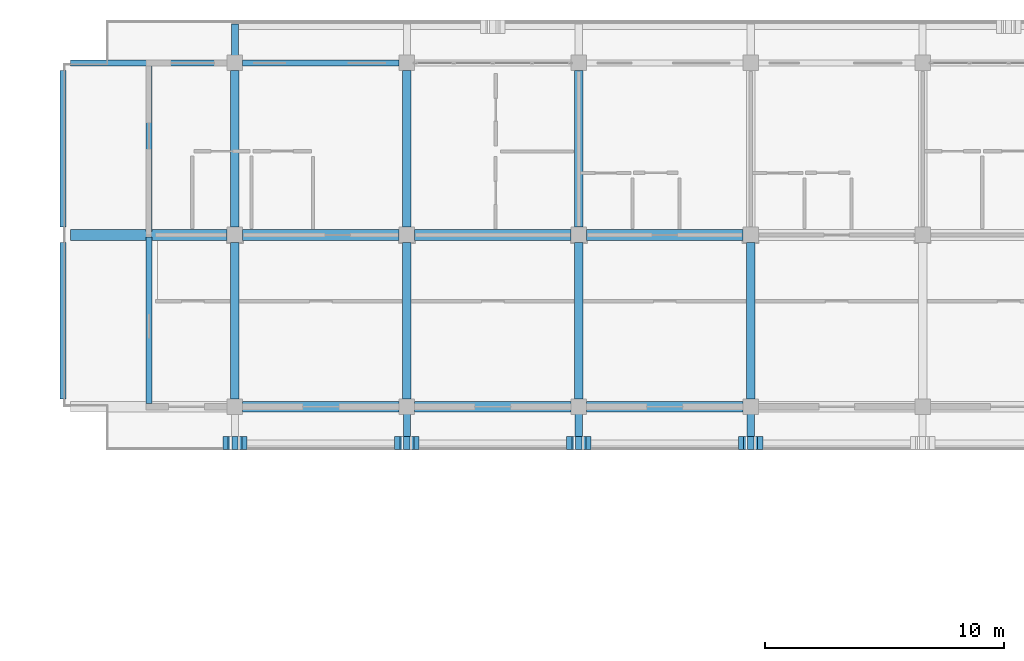
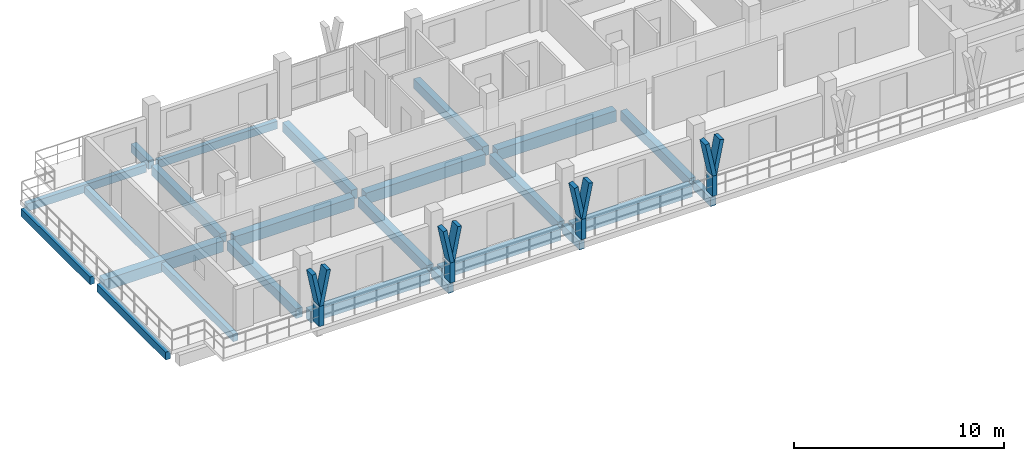
# One storey, part 9 of 75: 24 beams, 12 members.
"""IFC4 building model written with IfcOpenShell, lengths in metres."""

from ifc_helpers import new_model, si_unit, direction, frame, origin, origin_2d, place, context, subcontext, project, spatial, rectangle, extrude, material, material_profile, profile_set, type_object, element, save


model = new_model("IFC4")

# Units and contexts
model_context = context("Model", 3, precision=1e-05, world=origin(), true_north=direction((0.0, 1.0)))
body_context = subcontext(model_context, "Body", "Model", "MODEL_VIEW")
ifc_project = project(units=[si_unit("LENGTHUNIT", "METRE"), si_unit("AREAUNIT", "SQUARE_METRE"), si_unit("VOLUMEUNIT", "CUBIC_METRE"), si_unit("PLANEANGLEUNIT", "RADIAN"), si_unit("MASSUNIT", "GRAM", prefix="KILO")], contexts=[model_context])

# Site, building, storey
site_placement = place(None, origin())
site = spatial("IfcSite", under=ifc_project, at=site_placement, CompositionType="ELEMENT")
building_placement = place(site_placement, origin())
building = spatial("IfcBuilding", under=site, at=building_placement, Name="Suanplinth Sawtooth Commons", CompositionType="ELEMENT")
storey_placement = place(building_placement, frame((0.0, 0.0, 18.60009765625)))
storey = spatial("IfcBuildingStorey", under=building, at=storey_placement, Name="L05", CompositionType="ELEMENT", Elevation=18.60009765625)

# Beams
ifc_material_1 = material(Name="Precast concrete C40/50", Category="concrete")
ifc_material_profile_1 = material_profile(ifc_material_1, rectangle(XDim=0.449951171875, YDim=0.64990234375, at=origin_2d()), Name="PC-GDR 450x650")
ifc_profile_set_1 = profile_set([ifc_material_profile_1], Name="Precast concrete C40/50")
beam_type_1 = type_object("IfcBeamType", Name="B-04", PredefinedType="USERDEFINED", material=ifc_profile_set_1)
for number, where, z_axis, x_axis, name in (
    (1, (0.324951171875, 115.199951171875, -0.5751953125), (1.0, 0.0, 0.0), (0.0, 1.0, 0.0), "BMX-L05-A-0-16"),
    (2, (7.52490234375, 108.0, -0.5751953125), (1.0, 0.0, 0.0), (0.0, 1.0, 0.0), "BMX-L05-A-1-15"),
    (3, (7.52490234375, 115.199951171875, -0.5751953125), (1.0, 0.0, 0.0), (0.0, 1.0, 0.0), "BMX-L05-A-1-16"),
):
    element("IfcBeam", number, at=place(storey_placement, frame(where, z_axis=z_axis, x_axis=x_axis)), inside=storey, type_object=beam_type_1, Name=name, ObjectType="GIRDER", PredefinedType="USERDEFINED", context=body_context, shape_type="SweptSolid", body=[
        extrude(rectangle(XDim=0.449951171875, YDim=0.64990234375, at=origin_2d()), origin(), (0.0, 0.0, 1.0), 6.550048828125),
    ])
for number, where, z_axis, x_axis, name in (
    (4, (14.72509765625, 108.0, -0.5751953125), (1.0, 0.0, 0.0), (0.0, 1.0, 0.0), "BMX-L05-A-2-15"),
    (5, (14.72509765625, 115.199951171875, -0.5751953125), (1.0, 0.0, 0.0), (0.0, 1.0, 0.0), "BMX-L05-A-2-16"),
):
    element("IfcBeam", number, at=place(storey_placement, frame(where, z_axis=z_axis, x_axis=x_axis)), inside=storey, type_object=beam_type_1, Name=name, ObjectType="GIRDER", PredefinedType="USERDEFINED", context=body_context, shape_type="SweptSolid", body=[
        extrude(rectangle(XDim=0.449951171875, YDim=0.64990234375, at=origin_2d()), origin(), (0.0, 0.0, 1.0), 6.5498046875),
    ])
for number, where, z_axis, x_axis, name in (
    (6, (21.925048828125, 108.0, -0.5751953125), (1.0, 0.0, 0.0), (0.0, 1.0, 0.0), "BMX-L05-A-3-15"),
    (7, (21.925048828125, 115.199951171875, -0.5751953125), (1.0, 0.0, 0.0), (0.0, 1.0, 0.0), "BMX-L05-A-3-16"),
):
    element("IfcBeam", number, at=place(storey_placement, frame(where, z_axis=z_axis, x_axis=x_axis)), inside=storey, type_object=beam_type_1, Name=name, ObjectType="GIRDER", PredefinedType="USERDEFINED", context=body_context, shape_type="SweptSolid", body=[
        extrude(rectangle(XDim=0.449951171875, YDim=0.64990234375, at=origin_2d()), origin(), (0.0, 0.0, 1.0), 6.550048828125),
    ])
ifc_material_profile_2 = material_profile(ifc_material_1, rectangle(XDim=0.35009765625, YDim=0.550048828125, at=origin_2d()), Name="PC-BM 350x550")
ifc_profile_set_2 = profile_set([ifc_material_profile_2], Name="Precast concrete C40/50")
beam_type_2 = type_object("IfcBeamType", Name="B-06", PredefinedType="BEAM", material=ifc_profile_set_2)
for number, where, z_axis, x_axis, name in (
    (8, (7.199951171875, 108.324951171875, -0.525146484375), (0.0, 1.0, 0.0), (-1.0, 0.0, 0.0), "BMY-L05-A-1-15"),
    (9, (7.199951171875, 115.52490234375, -0.525146484375), (0.0, 1.0, 0.0), (-1.0, 0.0, 0.0), "BMY-L05-A-1-16"),
    (10, (14.39990234375, 108.324951171875, -0.525146484375), (0.0, 1.0, 0.0), (-1.0, 0.0, 0.0), "BMY-L05-A-2-15"),
    (11, (14.39990234375, 115.52490234375, -0.525146484375), (0.0, 1.0, 0.0), (-1.0, 0.0, 0.0), "BMY-L05-A-2-16"),
    (12, (21.60009765625, 108.324951171875, -0.525146484375), (0.0, 1.0, 0.0), (-1.0, 0.0, 0.0), "BMY-L05-A-3-15"),
    (13, (21.60009765625, 115.52490234375, -0.525146484375), (0.0, 1.0, 0.0), (-1.0, 0.0, 0.0), "BMY-L05-A-3-16"),
    (14, (28.800048828125, 108.324951171875, -0.525146484375), (0.0, 1.0, 0.0), (-1.0, 0.0, 0.0), "BMY-L05-A-4-15"),
):
    element("IfcBeam", number, at=place(storey_placement, frame(where, z_axis=z_axis, x_axis=x_axis)), inside=storey, type_object=beam_type_2, Name=name, PredefinedType="BEAM", context=body_context, shape_type="SweptSolid", body=[
        extrude(rectangle(XDim=0.35009765625, YDim=0.550048828125, at=origin_2d()), origin(), (0.0, 0.0, 1.0), 6.550048828125),
    ])
ifc_material_profile_3 = material_profile(ifc_material_1, rectangle(XDim=0.300048828125, YDim=0.5, at=origin_2d()), Name="PC-BM 300x500")
ifc_profile_set_3 = profile_set([ifc_material_profile_3], Name="Precast concrete C40/50")
beam_type_3 = type_object("IfcBeamType", Name="B-07", PredefinedType="BEAM", material=ifc_profile_set_3)
beam_1_placement = place(storey_placement, frame((7.199951171875, 122.39990234375, -0.43017578125), z_axis=(0.0, 1.0, 0.0), x_axis=(-1.0, 0.0, 0.0)))
element("IfcBeam", 15, at=beam_1_placement, inside=storey, type_object=beam_type_3, Name="Balcony Outrigger L05-A-N-1", PredefinedType="BEAM", context=body_context, shape_type="SweptSolid", body=[
    extrude(rectangle(XDim=0.300048828125, YDim=0.5, at=origin_2d()), origin(), (0.0, 0.0, 1.0), 1.64013671875),
])
for number, where, z_axis, x_axis, name in (
    (16, (14.39990234375, 108.0, -0.43017578125), (0.0, -1.0, 0.0), (1.0, 0.0, 0.0), "Balcony Outrigger L05-A-S-2"),
    (17, (21.60009765625, 108.0, -0.43017578125), (0.0, -1.0, 0.0), (1.0, 0.0, 0.0), "Balcony Outrigger L05-A-S-3"),
    (18, (28.800048828125, 108.0, -0.43017578125), (0.0, -1.0, 0.0), (1.0, 0.0, 0.0), "Balcony Outrigger L05-A-S-4"),
):
    element("IfcBeam", number, at=place(storey_placement, frame(where, z_axis=z_axis, x_axis=x_axis)), inside=storey, type_object=beam_type_3, Name=name, PredefinedType="BEAM", context=body_context, shape_type="SweptSolid", body=[
        extrude(rectangle(XDim=0.300048828125, YDim=0.5, at=origin_2d()), origin(), (0.0, 0.0, 1.0), 1.639892578125),
    ])
ifc_material_profile_4 = material_profile(ifc_material_1, rectangle(XDim=0.25, YDim=0.449951171875, at=origin_2d()), Name="PC-SP 250x450")
ifc_profile_set_4 = profile_set([ifc_material_profile_4], Name="Precast concrete C40/50")
beam_type_4 = type_object("IfcBeamType", Name="B-09", PredefinedType="SPANDREL", material=ifc_profile_set_4)
for number, where, z_axis, x_axis, name in (
    (19, (0.324951171875, 122.39990234375, -0.47509765625), (1.0, 0.0, 0.0), (0.0, 1.0, 0.0), "BMX-L05-A-0-17"),
    (20, (7.52490234375, 122.39990234375, -0.47509765625), (1.0, 0.0, 0.0), (0.0, 1.0, 0.0), "BMX-L05-A-1-17"),
    (21, (0.0, 108.324951171875, -0.47509765625), (0.0, 1.0, 0.0), (-1.0, 0.0, 0.0), "BMY-L05-A-0-15"),
    (22, (0.0, 115.52490234375, -0.47509765625), (0.0, 1.0, 0.0), (-1.0, 0.0, 0.0), "BMY-L05-A-0-16"),
):
    element("IfcBeam", number, at=place(storey_placement, frame(where, z_axis=z_axis, x_axis=x_axis)), inside=storey, type_object=beam_type_4, Name=name, PredefinedType="SPANDREL", context=body_context, shape_type="SweptSolid", body=[
        extrude(rectangle(XDim=0.25, YDim=0.449951171875, at=origin_2d()), origin(), (0.0, 0.0, 1.0), 6.550048828125),
    ])
beam_2_placement = place(storey_placement, frame((3.60009765625, 108.139892578125, -0.5751953125), z_axis=(0.0, 1.0, 0.0), x_axis=(-1.0, 0.0, 0.0)))
element("IfcBeam", 23, at=beam_2_placement, inside=storey, type_object=beam_type_4, Name="BMY-L05-A-STEP-36-15", PredefinedType="SPANDREL", context=body_context, shape_type="SweptSolid", body=[
    extrude(rectangle(XDim=0.25, YDim=0.449951171875, at=origin_2d()), origin(), (0.0, 0.0, 1.0), 6.980224609375),
])
beam_3_placement = place(storey_placement, frame((3.60009765625, 115.340087890625, -0.5751953125), z_axis=(0.0, 1.0, 0.0), x_axis=(-1.0, 0.0, 0.0)))
element("IfcBeam", 24, at=beam_3_placement, inside=storey, type_object=beam_type_4, Name="BMY-L05-A-STEP-36-16", PredefinedType="SPANDREL", context=body_context, shape_type="SweptSolid", body=[
    extrude(rectangle(XDim=0.25, YDim=0.449951171875, at=origin_2d()), origin(), (0.0, 0.0, 1.0), 6.97998046875),
])

# Members
ifc_material_2 = material(Name="Pigmented precast concrete C40/50", Category="concrete")
ifc_material_profile_5 = material_profile(ifc_material_2, rectangle(XDim=0.260009765625, YDim=0.550048828125, at=origin_2d()), Name="PC-FIN 260x550")
ifc_profile_set_5 = profile_set([ifc_material_profile_5], Name="Pigmented precast concrete C40/50")
member_type_1 = type_object("IfcMemberType", Name="M-09", PredefinedType="USERDEFINED", material=ifc_profile_set_5)
for number, where, z_axis, x_axis, name in (
    (25, (7.199951171875, 106.47998046875, 0.0), (0.0, 0.0, 1.0), (1.0, 0.0, 0.0), "Y-Blade Stem L05-A-S-06"),
    (26, (14.39990234375, 106.47998046875, 0.0), (0.0, 0.0, 1.0), (1.0, 0.0, 0.0), "Y-Blade Stem L05-A-S-07"),
    (27, (21.60009765625, 106.47998046875, 0.0), (0.0, 0.0, 1.0), (1.0, 0.0, 0.0), "Y-Blade Stem L05-A-S-08"),
    (28, (28.800048828125, 106.47998046875, 0.0), (0.0, 0.0, 1.0), (1.0, 0.0, 0.0), "Y-Blade Stem L05-A-S-09"),
):
    element("IfcMember", number, at=place(storey_placement, frame(where, z_axis=z_axis, x_axis=x_axis)), inside=storey, type_object=member_type_1, Name=name, ObjectType="SHADING FIN", PredefinedType="USERDEFINED", context=body_context, shape_type="SweptSolid", body=[
        extrude(rectangle(XDim=0.260009765625, YDim=0.550048828125, at=origin_2d()), origin(), (0.0, 0.0, 1.0), 1.169921875),
    ])
ifc_material_profile_6 = material_profile(ifc_material_2, rectangle(XDim=0.219970703125, YDim=0.550048828125, at=origin_2d()), Name="PC-FIN 220x550")
ifc_profile_set_6 = profile_set([ifc_material_profile_6], Name="Pigmented precast concrete C40/50")
member_type_2 = type_object("IfcMemberType", Name="M-10", PredefinedType="USERDEFINED", material=ifc_profile_set_6)
for number, where, z_axis, x_axis, name in (
    (29, (7.199951171875, 106.47998046875, 1.1298828125), (-0.196415357203, 0.0, 0.980520783795), (0.980520783795, 0.0, 0.196415357203), "Y-Blade Arm L L05-A-S-06"),
    (30, (7.199951171875, 106.47998046875, 1.1298828125), (0.196530428008, 0.0, 0.98049772609), (-0.98049772609, 0.0, 0.196530428008), "Y-Blade Arm R L05-A-S-06"),
    (31, (14.39990234375, 106.47998046875, 1.1298828125), (-0.196415357203, 0.0, 0.980520783795), (0.980520783795, 0.0, 0.196415357203), "Y-Blade Arm L L05-A-S-07"),
    (32, (14.39990234375, 106.47998046875, 1.1298828125), (0.196530428008, 0.0, 0.98049772609), (-0.98049772609, 0.0, 0.196530428008), "Y-Blade Arm R L05-A-S-07"),
    (33, (21.60009765625, 106.47998046875, 1.1298828125), (-0.196530428008, 0.0, 0.98049772609), (0.98049772609, 0.0, 0.196530428008), "Y-Blade Arm L L05-A-S-08"),
    (34, (21.60009765625, 106.47998046875, 1.1298828125), (0.196415357203, 0.0, 0.980520783795), (-0.980520783795, 0.0, 0.196415357203), "Y-Blade Arm R L05-A-S-08"),
    (35, (28.800048828125, 106.47998046875, 1.1298828125), (-0.196530428008, 0.0, 0.98049772609), (0.98049772609, 0.0, 0.196530428008), "Y-Blade Arm L L05-A-S-09"),
    (36, (28.800048828125, 106.47998046875, 1.1298828125), (0.196415357203, 0.0, 0.980520783795), (-0.980520783795, 0.0, 0.196415357203), "Y-Blade Arm R L05-A-S-09"),
):
    element("IfcMember", number, at=place(storey_placement, frame(where, z_axis=z_axis, x_axis=x_axis)), inside=storey, type_object=member_type_2, Name=name, ObjectType="SHADING FIN", PredefinedType="USERDEFINED", context=body_context, shape_type="SweptSolid", body=[
        extrude(rectangle(XDim=0.219970703125, YDim=0.550048828125, at=origin_2d()), origin(), (0.0, 0.0, 1.0), 2.039794921875),
    ])

save(model, "model.ifc")
